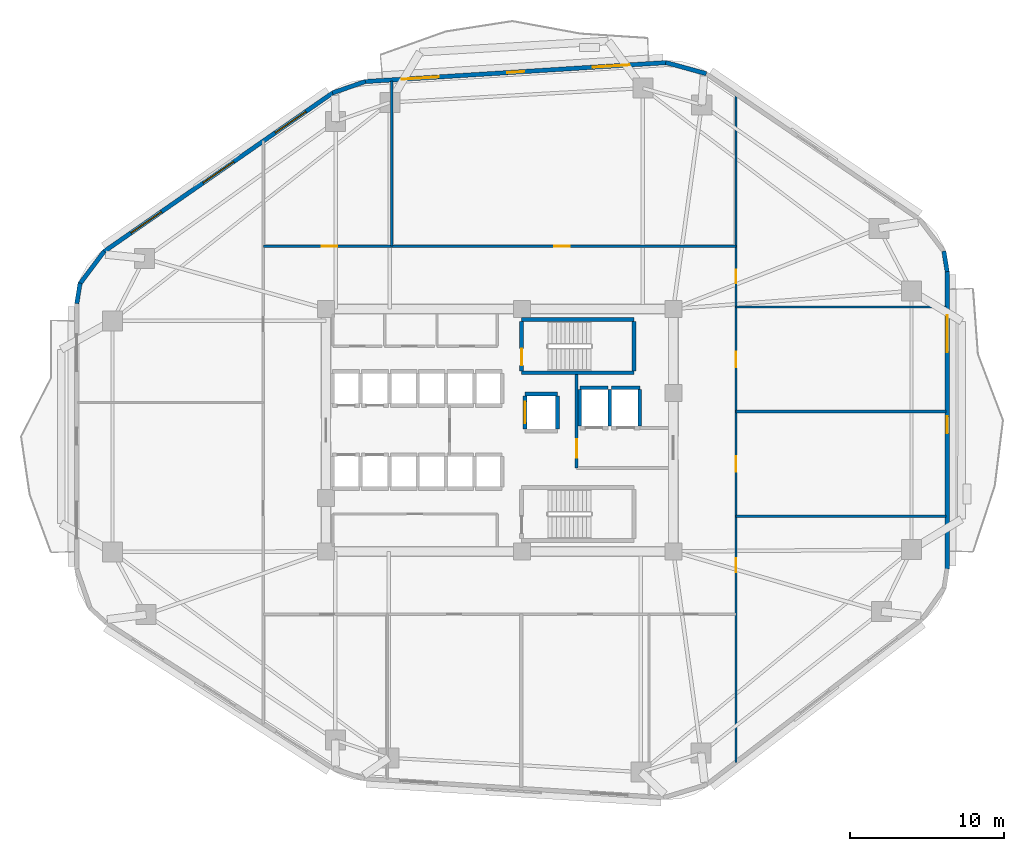
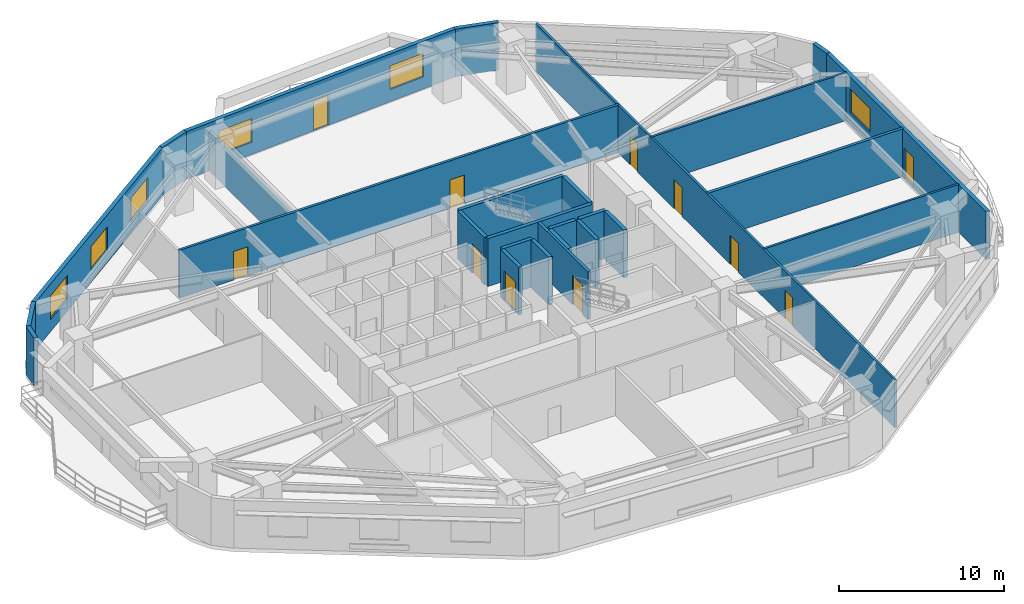
# One storey, part 5 of 9: 27 walls, 11 doors, 6 windows, 17 openings.
"""IFC4 building model written with IfcOpenShell, lengths in metres."""

from ifc_helpers import new_model, si_unit, direction, frame, frame_2d, origin, place, context, subcontext, project, spatial, rectangle, extrude, material, layer, layer_set, type_object, element, fill, save


model = new_model("IFC4")

# Units and contexts
model_context = context("Model", 3, precision=1e-05, world=origin(), true_north=direction((0.0, 1.0)))
body_context = subcontext(model_context, "Body", "Model", "MODEL_VIEW")
ifc_project = project(units=[si_unit("LENGTHUNIT", "METRE"), si_unit("AREAUNIT", "SQUARE_METRE"), si_unit("VOLUMEUNIT", "CUBIC_METRE"), si_unit("PLANEANGLEUNIT", "RADIAN"), si_unit("MASSUNIT", "GRAM", prefix="KILO")], contexts=[model_context])

# Site, building, storey
site_placement = place(None, origin())
site = spatial("IfcSite", under=ifc_project, at=site_placement, CompositionType="ELEMENT")
building_placement = place(site_placement, origin())
building = spatial("IfcBuilding", under=site, at=building_placement, Name="Zulverin Broadcast Headquarters", CompositionType="ELEMENT")
storey_placement = place(building_placement, frame((0.0, 0.0, 59.199951171875)))
storey = spatial("IfcBuildingStorey", under=building, at=storey_placement, Name="L14", CompositionType="ELEMENT", Elevation=59.199951171875)

# Wall
ifc_material_1 = material(Name="Acoustic drywall steel stud", Category="steel")
ifc_layer_1 = layer(ifc_material_1, 0.199951171875, Name="Acoustic drywall steel stud", Category="steel")
ifc_layer_set_1 = layer_set([ifc_layer_1], Name="Acoustic drywall steel stud")
wall_type_1 = type_object("IfcWallType", Name="WL-ACOU-200", PredefinedType="PARTITIONING", material=ifc_layer_set_1)
wall_1_placement = place(storey_placement, frame((52.35009765625, 26.39990234375, 0.0), z_axis=(0.0, 0.0, 1.0), x_axis=(1.0, 0.0, 0.0)))
element("IfcWall", 1, at=wall_1_placement, inside=storey, type_object=wall_type_1, Name="L14 Room Partition Wall RP-09", PredefinedType="PARTITIONING", context=body_context, shape_type="SweptSolid", body=[
    extrude(rectangle(XDim=13.64501953125, YDim=0.199951171875, at=frame_2d((6.822509765625, 0.0))), origin(), (0.0, 0.0, 1.0), 3.525146484375),
])

# Wall, openings, door, window
ifc_material_2 = material(Name="Insulated pale-metal clad concrete spandrel C40/50", Category="concrete")
ifc_layer_2 = layer(ifc_material_2, 0.280029296875, Name="Insulated pale-metal clad concrete spandrel C40/50", Category="concrete")
ifc_layer_set_2 = layer_set([ifc_layer_2], Name="Insulated pale-metal clad concrete spandrel C40/50")
wall_type_2 = type_object("IfcWallType", Name="WL-EXT-280", PredefinedType="STANDARD", material=ifc_layer_set_2)
wall_2_placement = place(storey_placement, frame((66.06005859375, 16.183349609375, 0.0), z_axis=(0.0, 0.0, 1.0), x_axis=(0.0, 1.0, 0.0)))
wall_2 = element("IfcWall", 2, at=wall_2_placement, inside=storey, type_object=wall_type_2, Name="L14 Pale-Metal Clad Spandrel Wall 3", PredefinedType="STANDARD", context=body_context, shape_type="SweptSolid", body=[
    extrude(rectangle(XDim=19.3310546875, YDim=0.280029296875, at=frame_2d((9.66552734375, 0.0))), origin(), (0.0, 0.0, 1.0), 3.525146484375),
])
opening_1_placement = place(wall_2_placement, frame((8.8154296875, 0.0, 0.0)))
opening_1 = element("IfcOpeningElement", 3, at=opening_1_placement, cuts=wall_2, Name="Opening D-L14-TR3", PredefinedType="OPENING", context=body_context, shape_type="SweptSolid", body=[
    extrude(rectangle(XDim=1.10009765625, YDim=2.199951171875, at=frame_2d((0.550048828125, 1.10009765625))), frame((0.0, 0.14990234375, 0.0), z_axis=(0.0, -1.0, 0.0), x_axis=(1.0, 0.0, 0.0)), (0.0, 0.0, 1.0), 0.300048828125),
])
opening_2_placement = place(wall_2_placement, frame((14.075927734375, 0.0, 0.89990234375)))
opening_2 = element("IfcOpeningElement", 4, at=opening_2_placement, cuts=wall_2, Name="Opening W-L14-E31", PredefinedType="OPENING", context=body_context, shape_type="SweptSolid", body=[
    extrude(rectangle(XDim=2.39990234375, YDim=1.75, at=frame_2d((1.199951171875, 0.875))), frame((0.0, 0.14990234375, 0.0), z_axis=(0.0, -1.0, 0.0), x_axis=(1.0, 0.0, 0.0)), (0.0, 0.0, 1.0), 0.300048828125),
])
ifc_material_3 = material(Name="Thermally broken aluminium glazed", Category="aluminium")
door_type_1 = type_object("IfcDoorType", Name="DR-TERR-1100", OperationType="SINGLE_SWING_RIGHT", PredefinedType="DOOR", material=ifc_material_3)
door_1_placement = place(opening_1_placement, origin())
door_1 = element("IfcDoor", 5, at=door_1_placement, inside=storey, type_object=door_type_1, Name="L14 Planted Terrace Glazed Access Door 3", OperationType="SINGLE_SWING_RIGHT", OverallHeight=2.199951171875, OverallWidth=1.10009765625, PredefinedType="DOOR", context=body_context, shape_type="SweptSolid", body=[
    extrude(rectangle(XDim=1.10009765625, YDim=2.199951171875, at=frame_2d((0.550048828125, 1.10009765625))), frame((0.0, 0.02490234375, 0.0), z_axis=(0.0, -1.0, 0.0), x_axis=(1.0, 0.0, 0.0)), (0.0, 0.0, 1.0), 0.050048828125),
])
fill(opening_1, door_1)
ifc_material_4 = material(Name="Pale anodized aluminium frame with solar-control low-E double glazing", Category="aluminium")
window_type = type_object("IfcWindowType", Name="WIN-RIB-2400", PartitioningType="SINGLE_PANEL", PredefinedType="WINDOW", material=ifc_material_4)
window_1_placement = place(opening_2_placement, origin())
window_1 = element("IfcWindow", 6, at=window_1_placement, inside=storey, type_object=window_type, Name="L14 Ribbon Glazing Window 3 1", OverallHeight=1.75, OverallWidth=2.39990234375, PartitioningType="SINGLE_PANEL", PredefinedType="WINDOW", context=body_context, shape_type="SweptSolid", body=[
    extrude(rectangle(XDim=2.39990234375, YDim=1.75, at=frame_2d((1.199951171875, 0.875))), frame((0.0, 0.030029296875, 0.0), z_axis=(0.0, -1.0, 0.0), x_axis=(1.0, 0.0, 0.0)), (0.0, 0.0, 1.0), 0.06005859375),
])
fill(opening_2, window_1)

# Wall, openings, door, windows
wall_3_placement = place(storey_placement, frame((47.831787109375, 49.0693359375, 0.0), z_axis=(0.0, 0.0, 1.0), x_axis=(-0.998017725054, -0.062933460723, 0.0)))
wall_3 = element("IfcWall", 7, at=wall_3_placement, inside=storey, type_object=wall_type_2, Name="L14 Pale-Metal Clad Spandrel Wall 5", PredefinedType="STANDARD", context=body_context, shape_type="SweptSolid", body=[
    extrude(rectangle(XDim=19.62939453125, YDim=0.280029296875, at=frame_2d((9.814697265625, 0.0))), origin(), (0.0, 0.0, 1.0), 3.525146484375),
])
opening_3_placement = place(wall_3_placement, frame((9.264892578125, 0.0, 0.0)))
opening_3 = element("IfcOpeningElement", 8, at=opening_3_placement, cuts=wall_3, Name="Opening D-L14-TR5", PredefinedType="OPENING", context=body_context, shape_type="SweptSolid", body=[
    extrude(rectangle(XDim=1.10009765625, YDim=2.199951171875, at=frame_2d((0.550048828125, 1.10009765625))), frame((0.0, 0.14990234375, 0.0), z_axis=(0.0, -1.0, 0.0), x_axis=(1.0, 0.0, 0.0)), (0.0, 0.0, 1.0), 0.300048828125),
])
opening_4_placement = place(wall_3_placement, frame((2.40478515625, 0.0, 0.89990234375)))
opening_4 = element("IfcOpeningElement", 9, at=opening_4_placement, cuts=wall_3, Name="Opening W-L14-E51", PredefinedType="OPENING", context=body_context, shape_type="SweptSolid", body=[
    extrude(rectangle(XDim=2.39990234375, YDim=1.75, at=frame_2d((1.199951171875, 0.875))), frame((0.0, 0.14990234375, 0.0), z_axis=(0.0, -1.0, 0.0), x_axis=(1.0, 0.0, 0.0)), (0.0, 0.0, 1.0), 0.300048828125),
])
opening_5_placement = place(wall_3_placement, frame((14.82470703125, 0.0, 0.89990234375)))
opening_5 = element("IfcOpeningElement", 10, at=opening_5_placement, cuts=wall_3, Name="Opening W-L14-E52", PredefinedType="OPENING", context=body_context, shape_type="SweptSolid", body=[
    extrude(rectangle(XDim=2.39990234375, YDim=1.75, at=frame_2d((1.199951171875, 0.875))), frame((0.0, 0.14990234375, 0.0), z_axis=(0.0, -1.0, 0.0), x_axis=(1.0, 0.0, 0.0)), (0.0, 0.0, 1.0), 0.300048828125),
])
door_2_placement = place(opening_3_placement, origin())
door_2 = element("IfcDoor", 11, at=door_2_placement, inside=storey, type_object=door_type_1, Name="L14 Planted Terrace Glazed Access Door 5", OperationType="SINGLE_SWING_RIGHT", OverallHeight=2.199951171875, OverallWidth=1.10009765625, PredefinedType="DOOR", context=body_context, shape_type="SweptSolid", body=[
    extrude(rectangle(XDim=1.10009765625, YDim=2.199951171875, at=frame_2d((0.550048828125, 1.10009765625))), frame((0.0, 0.02490234375, 0.0), z_axis=(0.0, -1.0, 0.0), x_axis=(1.0, 0.0, 0.0)), (0.0, 0.0, 1.0), 0.050048828125),
])
fill(opening_3, door_2)
window_2_placement = place(opening_4_placement, origin())
window_2 = element("IfcWindow", 12, at=window_2_placement, inside=storey, type_object=window_type, Name="L14 Ribbon Glazing Window 5 1", OverallHeight=1.75, OverallWidth=2.39990234375, PartitioningType="SINGLE_PANEL", PredefinedType="WINDOW", context=body_context, shape_type="SweptSolid", body=[
    extrude(rectangle(XDim=2.39990234375, YDim=1.75, at=frame_2d((1.199951171875, 0.875))), frame((0.0, 0.030029296875, 0.0), z_axis=(0.0, -1.0, 0.0), x_axis=(1.0, 0.0, 0.0)), (0.0, 0.0, 1.0), 0.06005859375),
])
fill(opening_4, window_2)
window_3_placement = place(opening_5_placement, origin())
window_3 = element("IfcWindow", 13, at=window_3_placement, inside=storey, type_object=window_type, Name="L14 Ribbon Glazing Window 5 2", OverallHeight=1.75, OverallWidth=2.39990234375, PartitioningType="SINGLE_PANEL", PredefinedType="WINDOW", context=body_context, shape_type="SweptSolid", body=[
    extrude(rectangle(XDim=2.39990234375, YDim=1.75, at=frame_2d((1.199951171875, 0.875))), frame((0.0, 0.030029296875, 0.0), z_axis=(0.0, -1.0, 0.0), x_axis=(1.0, 0.0, 0.0)), (0.0, 0.0, 1.0), 0.06005859375),
])
fill(opening_5, window_3)

# Wall, openings, windows
wall_4_placement = place(storey_placement, frame((26.181884765625, 47.11767578125, 0.0), z_axis=(0.0, 0.0, 1.0), x_axis=(-0.821547956627, -0.570139417127, 0.0)))
wall_4 = element("IfcWall", 14, at=wall_4_placement, inside=storey, type_object=wall_type_2, Name="L14 Pale-Metal Clad Spandrel Wall 6", PredefinedType="STANDARD", context=body_context, shape_type="SweptSolid", body=[
    extrude(rectangle(XDim=18.13232421875, YDim=0.280029296875, at=frame_2d((9.066162109375, 0.0))), origin(), (0.0, 0.0, 1.0), 3.525146484375),
])
opening_6_placement = place(wall_4_placement, frame((2.155517578125, 0.0, 0.89990234375)))
opening_6 = element("IfcOpeningElement", 15, at=opening_6_placement, cuts=wall_4, Name="Opening W-L14-E61", PredefinedType="OPENING", context=body_context, shape_type="SweptSolid", body=[
    extrude(rectangle(XDim=2.39990234375, YDim=1.75, at=frame_2d((1.199951171875, 0.875))), frame((0.0, 0.14990234375, 0.0), z_axis=(0.0, -1.0, 0.0), x_axis=(1.0, 0.0, 0.0)), (0.0, 0.0, 1.0), 0.300048828125),
])
opening_7_placement = place(wall_4_placement, frame((7.8662109375, 0.0, 0.89990234375)))
opening_7 = element("IfcOpeningElement", 16, at=opening_7_placement, cuts=wall_4, Name="Opening W-L14-E62", PredefinedType="OPENING", context=body_context, shape_type="SweptSolid", body=[
    extrude(rectangle(XDim=2.39990234375, YDim=1.75, at=frame_2d((1.199951171875, 0.875))), frame((0.0, 0.14990234375, 0.0), z_axis=(0.0, -1.0, 0.0), x_axis=(1.0, 0.0, 0.0)), (0.0, 0.0, 1.0), 0.300048828125),
])
opening_8_placement = place(wall_4_placement, frame((13.576904296875, 0.0, 0.89990234375)))
opening_8 = element("IfcOpeningElement", 17, at=opening_8_placement, cuts=wall_4, Name="Opening W-L14-E63", PredefinedType="OPENING", context=body_context, shape_type="SweptSolid", body=[
    extrude(rectangle(XDim=2.39990234375, YDim=1.75, at=frame_2d((1.199951171875, 0.875))), frame((0.0, 0.14990234375, 0.0), z_axis=(0.0, -1.0, 0.0), x_axis=(1.0, 0.0, 0.0)), (0.0, 0.0, 1.0), 0.300048828125),
])
window_4_placement = place(opening_6_placement, origin())
window_4 = element("IfcWindow", 18, at=window_4_placement, inside=storey, type_object=window_type, Name="L14 Ribbon Glazing Window 6 1", OverallHeight=1.75, OverallWidth=2.39990234375, PartitioningType="SINGLE_PANEL", PredefinedType="WINDOW", context=body_context, shape_type="SweptSolid", body=[
    extrude(rectangle(XDim=2.39990234375, YDim=1.75, at=frame_2d((1.199951171875, 0.875))), frame((0.0, 0.030029296875, 0.0), z_axis=(0.0, -1.0, 0.0), x_axis=(1.0, 0.0, 0.0)), (0.0, 0.0, 1.0), 0.06005859375),
])
fill(opening_6, window_4)
window_5_placement = place(opening_7_placement, origin())
window_5 = element("IfcWindow", 19, at=window_5_placement, inside=storey, type_object=window_type, Name="L14 Ribbon Glazing Window 6 2", OverallHeight=1.75, OverallWidth=2.39990234375, PartitioningType="SINGLE_PANEL", PredefinedType="WINDOW", context=body_context, shape_type="SweptSolid", body=[
    extrude(rectangle(XDim=2.39990234375, YDim=1.75, at=frame_2d((1.199951171875, 0.875))), frame((0.0, 0.030029296875, 0.0), z_axis=(0.0, -1.0, 0.0), x_axis=(1.0, 0.0, 0.0)), (0.0, 0.0, 1.0), 0.06005859375),
])
fill(opening_7, window_5)
window_6_placement = place(opening_8_placement, origin())
window_6 = element("IfcWindow", 20, at=window_6_placement, inside=storey, type_object=window_type, Name="L14 Ribbon Glazing Window 6 3", OverallHeight=1.75, OverallWidth=2.39990234375, PartitioningType="SINGLE_PANEL", PredefinedType="WINDOW", context=body_context, shape_type="SweptSolid", body=[
    extrude(rectangle(XDim=2.39990234375, YDim=1.75, at=frame_2d((1.199951171875, 0.875))), frame((0.0, 0.030029296875, 0.0), z_axis=(0.0, -1.0, 0.0), x_axis=(1.0, 0.0, 0.0)), (0.0, 0.0, 1.0), 0.06005859375),
])
fill(opening_8, window_6)

# Walls
wall_5_placement = place(storey_placement, frame((66.061767578125, 35.491943359375, 0.0), z_axis=(0.0, 0.0, 1.0), x_axis=(-0.161182073582, 0.986924687682, 0.0)))
element("IfcWall", 21, at=wall_5_placement, inside=storey, type_object=wall_type_2, Name="L14 Wind-Shaped Corner Spandrel Wall 3-1", PredefinedType="STANDARD", context=body_context, shape_type="SweptSolid", body=[
    extrude(rectangle(XDim=1.354248046875, YDim=0.280029296875, at=frame_2d((0.67724609375, 0.0))), origin(), (0.0, 0.0, 1.0), 3.525146484375),
])
wall_6_placement = place(storey_placement, frame((50.419189453125, 48.3505859375, 0.0), z_axis=(0.0, 0.0, 1.0), x_axis=(-0.964254516967, 0.264977784933, 0.0)))
element("IfcWall", 22, at=wall_6_placement, inside=storey, type_object=wall_type_2, Name="L14 Wind-Shaped Corner Spandrel Wall 4-1", PredefinedType="STANDARD", context=body_context, shape_type="SweptSolid", body=[
    extrude(rectangle(XDim=2.73095703125, YDim=0.280029296875, at=frame_2d((1.365478515625, 0.0))), origin(), (0.0, 0.0, 1.0), 3.525146484375),
])
wall_7_placement = place(storey_placement, frame((28.2783203125, 47.841552734375, 0.0), z_axis=(0.0, 0.0, 1.0), x_axis=(-0.9444559001, -0.328638179106, 0.0)))
element("IfcWall", 23, at=wall_7_placement, inside=storey, type_object=wall_type_2, Name="L14 Wind-Shaped Corner Spandrel Wall 5-1", PredefinedType="STANDARD", context=body_context, shape_type="SweptSolid", body=[
    extrude(rectangle(XDim=2.25537109375, YDim=0.280029296875, at=frame_2d((1.127685546875, 0.0))), origin(), (0.0, 0.0, 1.0), 3.525146484375),
])
wall_8_placement = place(storey_placement, frame((11.317626953125, 36.81103515625, 0.0), z_axis=(0.0, 0.0, 1.0), x_axis=(-0.599455152629, -0.800408345775, 0.0)))
element("IfcWall", 24, at=wall_8_placement, inside=storey, type_object=wall_type_2, Name="L14 Wind-Shaped Corner Spandrel Wall 6-1", PredefinedType="STANDARD", context=body_context, shape_type="SweptSolid", body=[
    extrude(rectangle(XDim=2.6533203125, YDim=0.280029296875, at=frame_2d((1.32666015625, 0.0))), origin(), (0.0, 0.0, 1.0), 3.525146484375),
])
wall_9_placement = place(storey_placement, frame((9.753173828125, 34.748779296875, 0.0), z_axis=(0.0, 0.0, 1.0), x_axis=(-0.160037671962, -0.987110907423, 0.0)))
element("IfcWall", 25, at=wall_9_placement, inside=storey, type_object=wall_type_2, Name="L14 Wind-Shaped Corner Spandrel Wall 6-2", PredefinedType="STANDARD", context=body_context, shape_type="SweptSolid", body=[
    extrude(rectangle(XDim=1.343994140625, YDim=0.280029296875, at=frame_2d((0.671875, 0.0))), origin(), (0.0, 0.0, 1.0), 3.525146484375),
])

# Wall, opening, door
ifc_material_5 = material(Name="Concrete C40/50", Category="concrete")
ifc_layer_3 = layer(ifc_material_5, 0.199951171875, Name="Concrete C40/50", Category="concrete")
ifc_layer_set_3 = layer_set([ifc_layer_3], Name="Concrete C40/50")
wall_type_3 = type_object("IfcWallType", Name="WL-FFL-200", PredefinedType="SOLIDWALL", material=ifc_layer_set_3)
wall_10_placement = place(storey_placement, frame((42.0, 22.75, 0.0), z_axis=(0.0, 0.0, 1.0), x_axis=(0.0, 1.0, 0.0)))
wall_10 = element("IfcWall", 26, at=wall_10_placement, inside=storey, type_object=wall_type_3, Name="L14 Firefighting Lift Lobby West Wall", PredefinedType="SOLIDWALL", context=body_context, shape_type="SweptSolid", body=[
    extrude(rectangle(XDim=6.050048828125, YDim=0.199951171875, at=frame_2d((3.02490234375, 0.0))), origin(), (0.0, 0.0, 1.0), 3.525146484375),
])
opening_9_placement = place(wall_10_placement, frame((0.64990234375, 0.0, 0.0)))
opening_9 = element("IfcOpeningElement", 27, at=opening_9_placement, cuts=wall_10, Name="Opening D-L14-FFLW", PredefinedType="OPENING", context=body_context, shape_type="SweptSolid", body=[
    extrude(rectangle(XDim=1.199951171875, YDim=2.14990234375, at=frame_2d((0.60009765625, 1.074951171875))), frame((0.0, 0.10986328125, 0.0), z_axis=(0.0, -1.0, 0.0), x_axis=(1.0, 0.0, 0.0)), (0.0, 0.0, 1.0), 0.219970703125),
])
ifc_material_6 = material(Name="Fire-rated steel leaf and frame", Category="steel")
door_type_2 = type_object("IfcDoorType", Name="DR-FFL-1200", OperationType="SINGLE_SWING_RIGHT", PredefinedType="DOOR", material=ifc_material_6)
door_3_placement = place(opening_9_placement, origin())
door_3 = element("IfcDoor", 28, at=door_3_placement, inside=storey, type_object=door_type_2, Name="L14 Firefighting Lift Lobby Door", OperationType="SINGLE_SWING_RIGHT", OverallHeight=2.14990234375, OverallWidth=1.199951171875, PredefinedType="DOOR", context=body_context, shape_type="SweptSolid", body=[
    extrude(rectangle(XDim=1.199951171875, YDim=2.14990234375, at=frame_2d((0.60009765625, 1.074951171875))), frame((0.0, 0.02490234375, 0.0), z_axis=(0.0, -1.0, 0.0), x_axis=(1.0, 0.0, 0.0)), (0.0, 0.0, 1.0), 0.050048828125),
])
fill(opening_9, door_3)

# Wall, openings, doors
ifc_material_7 = material(Name="Fire-rated gypsum stud partition", Category="gypsum")
ifc_layer_4 = layer(ifc_material_7, 0.14990234375, Name="Fire-rated gypsum stud partition", Category="gypsum")
ifc_layer_set_4 = layer_set([ifc_layer_4], Name="Fire-rated gypsum stud partition")
wall_type_4 = type_object("IfcWallType", Name="WL-PART-150", PredefinedType="PARTITIONING", material=ifc_layer_set_4)
wall_11_placement = place(storey_placement, frame((52.35009765625, 3.611328125, 0.0), z_axis=(0.0, 0.0, 1.0), x_axis=(0.0, 1.0, 0.0)))
wall_11 = element("IfcWall", 29, at=wall_11_placement, inside=storey, type_object=wall_type_4, Name="L14 Gallery Partition Wall CG-01", PredefinedType="PARTITIONING", context=body_context, shape_type="SweptSolid", body=[
    extrude(rectangle(XDim=43.440673828125, YDim=0.14990234375, at=frame_2d((21.72021484375, 0.0))), origin(), (0.0, 0.0, 1.0), 3.525146484375),
])
opening_10_placement = place(wall_11_placement, frame((12.36376953125, 0.0, 0.0)))
opening_10 = element("IfcOpeningElement", 30, at=opening_10_placement, cuts=wall_11, Name="Opening D-L14-09", PredefinedType="OPENING", context=body_context, shape_type="SweptSolid", body=[
    extrude(rectangle(XDim=0.89990234375, YDim=2.10009765625, at=frame_2d((0.449951171875, 1.050048828125))), frame((0.0, 0.0849609375, 0.0), z_axis=(0.0, -1.0, 0.0), x_axis=(1.0, 0.0, 0.0)), (0.0, 0.0, 1.0), 0.169921875),
])
opening_11_placement = place(wall_11_placement, frame((18.888671875, 0.0, 0.0)))
opening_11 = element("IfcOpeningElement", 31, at=opening_11_placement, cuts=wall_11, Name="Opening D-L14-10", PredefinedType="OPENING", context=body_context, shape_type="SweptSolid", body=[
    extrude(rectangle(XDim=1.0, YDim=2.1201171875, at=frame_2d((0.5, 1.06005859375))), frame((0.0, 0.0849609375, 0.0), z_axis=(0.0, -1.0, 0.0), x_axis=(1.0, 0.0, 0.0)), (0.0, 0.0, 1.0), 0.169921875),
])
opening_12_placement = place(wall_11_placement, frame((25.688720703125, 0.0, 0.0)))
opening_12 = element("IfcOpeningElement", 32, at=opening_12_placement, cuts=wall_11, Name="Opening D-L14-11", PredefinedType="OPENING", context=body_context, shape_type="SweptSolid", body=[
    extrude(rectangle(XDim=1.0, YDim=2.1201171875, at=frame_2d((0.5, 1.06005859375))), frame((0.0, 0.0849609375, 0.0), z_axis=(0.0, -1.0, 0.0), x_axis=(1.0, 0.0, 0.0)), (0.0, 0.0, 1.0), 0.169921875),
])
opening_13_placement = place(wall_11_placement, frame((31.11376953125, 0.0, 0.0)))
opening_13 = element("IfcOpeningElement", 33, at=opening_13_placement, cuts=wall_11, Name="Opening D-L14-12", PredefinedType="OPENING", context=body_context, shape_type="SweptSolid", body=[
    extrude(rectangle(XDim=0.89990234375, YDim=2.10009765625, at=frame_2d((0.449951171875, 1.050048828125))), frame((0.0, 0.0849609375, 0.0), z_axis=(0.0, -1.0, 0.0), x_axis=(1.0, 0.0, 0.0)), (0.0, 0.0, 1.0), 0.169921875),
])
ifc_material_8 = material(Name="Hardwood veneer acoustic leaf", Category="wood")
door_type_3 = type_object("IfcDoorType", Name="DR-OFF-1000", OperationType="SINGLE_SWING_LEFT", PredefinedType="DOOR", material=ifc_material_8)
door_4_placement = place(opening_11_placement, origin())
door_4 = element("IfcDoor", 34, at=door_4_placement, inside=storey, type_object=door_type_3, Name="L14 Documentary Editing Workplace Door", OperationType="SINGLE_SWING_LEFT", OverallHeight=2.1201171875, OverallWidth=1.0, PredefinedType="DOOR", context=body_context, shape_type="SweptSolid", body=[
    extrude(rectangle(XDim=1.0, YDim=2.1201171875, at=frame_2d((0.5, 1.06005859375))), frame((0.0, 0.02490234375, 0.0), z_axis=(0.0, -1.0, 0.0), x_axis=(1.0, 0.0, 0.0)), (0.0, 0.0, 1.0), 0.050048828125),
])
fill(opening_11, door_4)
door_5_placement = place(opening_12_placement, origin())
door_5 = element("IfcDoor", 35, at=door_5_placement, inside=storey, type_object=door_type_3, Name="L14 Colour Correction Office Door", OperationType="SINGLE_SWING_RIGHT", OverallHeight=2.1201171875, OverallWidth=1.0, PredefinedType="DOOR", context=body_context, shape_type="SweptSolid", body=[
    extrude(rectangle(XDim=1.0, YDim=2.1201171875, at=frame_2d((0.5, 1.06005859375))), frame((0.0, 0.02490234375, 0.0), z_axis=(0.0, -1.0, 0.0), x_axis=(1.0, 0.0, 0.0)), (0.0, 0.0, 1.0), 0.050048828125),
])
fill(opening_12, door_5)
ifc_material_9 = material(Name="Fire-rated hardwood veneer timber leaf", Category="wood")
door_type_4 = type_object("IfcDoorType", Name="DR-ROOM-900", OperationType="SINGLE_SWING_RIGHT", PredefinedType="DOOR", material=ifc_material_9)
door_6_placement = place(opening_10_placement, origin())
door_6 = element("IfcDoor", 36, at=door_6_placement, inside=storey, type_object=door_type_4, Name="L14 Client Reception Door", OperationType="SINGLE_SWING_RIGHT", OverallHeight=2.10009765625, OverallWidth=0.89990234375, PredefinedType="DOOR", context=body_context, shape_type="SweptSolid", body=[
    extrude(rectangle(XDim=0.89990234375, YDim=2.10009765625, at=frame_2d((0.449951171875, 1.050048828125))), frame((0.0, 0.02490234375, 0.0), z_axis=(0.0, -1.0, 0.0), x_axis=(1.0, 0.0, 0.0)), (0.0, 0.0, 1.0), 0.050048828125),
])
fill(opening_10, door_6)
door_7_placement = place(opening_13_placement, origin())
door_7 = element("IfcDoor", 37, at=door_7_placement, inside=storey, type_object=door_type_4, Name="L14 Colour Review Suite Door", OperationType="SINGLE_SWING_LEFT", OverallHeight=2.10009765625, OverallWidth=0.89990234375, PredefinedType="DOOR", context=body_context, shape_type="SweptSolid", body=[
    extrude(rectangle(XDim=0.89990234375, YDim=2.10009765625, at=frame_2d((0.449951171875, 1.050048828125))), frame((0.0, 0.02490234375, 0.0), z_axis=(0.0, -1.0, 0.0), x_axis=(1.0, 0.0, 0.0)), (0.0, 0.0, 1.0), 0.050048828125),
])
fill(opening_13, door_7)

# Walls
wall_12_placement = place(storey_placement, frame((30.0, 37.14990234375, 0.0), z_axis=(0.0, 0.0, 1.0), x_axis=(0.0, 1.0, 0.0)))
element("IfcWall", 38, at=wall_12_placement, inside=storey, type_object=wall_type_4, Name="L14 Room Partition Wall RP-04", PredefinedType="PARTITIONING", context=body_context, shape_type="SweptSolid", body=[
    extrude(rectangle(XDim=10.730224609375, YDim=0.14990234375, at=frame_2d((5.365234375, 0.0))), origin(), (0.0, 0.0, 1.0), 2.907958984375),
])
for number, where, z_axis, x_axis, name in (
    (39, (52.35009765625, 19.60009765625, 0.0), (0.0, 0.0, 1.0), (1.0, 0.0, 0.0), "L14 Room Partition Wall RP-08"),
    (40, (52.35009765625, 33.199951171875, 0.0), (0.0, 0.0, 1.0), (1.0, 0.0, 0.0), "L14 Room Partition Wall RP-11"),
):
    element("IfcWall", number, at=place(storey_placement, frame(where, z_axis=z_axis, x_axis=x_axis)), inside=storey, type_object=wall_type_4, Name=name, PredefinedType="PARTITIONING", context=body_context, shape_type="SweptSolid", body=[
        extrude(rectangle(XDim=13.64501953125, YDim=0.14990234375, at=frame_2d((6.822509765625, 0.0))), origin(), (0.0, 0.0, 1.0), 3.525146484375),
    ])

# Wall, openings, doors
ifc_material_10 = material(Name="Fire-rated acoustic stud wall", Category="gypsum")
ifc_layer_5 = layer(ifc_material_10, 0.175048828125, Name="Fire-rated acoustic stud wall", Category="gypsum")
ifc_layer_set_5 = layer_set([ifc_layer_5], Name="Fire-rated acoustic stud wall")
wall_type_5 = type_object("IfcWallType", Name="WL-PART-175", PredefinedType="PARTITIONING", material=ifc_layer_set_5)
wall_13_placement = place(storey_placement, frame((21.64990234375, 37.14990234375, 0.0), z_axis=(0.0, 0.0, 1.0), x_axis=(1.0, 0.0, 0.0)))
wall_13 = element("IfcWall", 41, at=wall_13_placement, inside=storey, type_object=wall_type_5, Name="L14 Gallery Partition Wall CG-12", PredefinedType="PARTITIONING", context=body_context, shape_type="SweptSolid", body=[
    extrude(rectangle(XDim=30.7001953125, YDim=0.175048828125, at=frame_2d((15.35009765625, 0.0))), origin(), (0.0, 0.0, 1.0), 3.525146484375),
])
opening_14_placement = place(wall_13_placement, frame((3.794921875, 0.0, 0.0)))
opening_14 = element("IfcOpeningElement", 42, at=opening_14_placement, cuts=wall_13, Name="Opening D-L14-01", PredefinedType="OPENING", context=body_context, shape_type="SweptSolid", body=[
    extrude(rectangle(XDim=1.0, YDim=2.1201171875, at=frame_2d((0.5, 1.06005859375))), frame((0.0, 0.097412109375, 0.0), z_axis=(0.0, -1.0, 0.0), x_axis=(1.0, 0.0, 0.0)), (0.0, 0.0, 1.0), 0.195068359375),
])
opening_15_placement = place(wall_13_placement, frame((18.905029296875, 0.0, 0.0)))
opening_15 = element("IfcOpeningElement", 43, at=opening_15_placement, cuts=wall_13, Name="Opening D-L14-02", PredefinedType="OPENING", context=body_context, shape_type="SweptSolid", body=[
    extrude(rectangle(XDim=1.0, YDim=2.1201171875, at=frame_2d((0.5, 1.06005859375))), frame((0.0, 0.097412109375, 0.0), z_axis=(0.0, -1.0, 0.0), x_axis=(1.0, 0.0, 0.0)), (0.0, 0.0, 1.0), 0.195068359375),
])
door_8_placement = place(opening_14_placement, origin())
door_8 = element("IfcDoor", 44, at=door_8_placement, inside=storey, type_object=door_type_3, Name="L14 Documentary Editing Workplace Door", OperationType="SINGLE_SWING_RIGHT", OverallHeight=2.1201171875, OverallWidth=1.0, PredefinedType="DOOR", context=body_context, shape_type="SweptSolid", body=[
    extrude(rectangle(XDim=1.0, YDim=2.1201171875, at=frame_2d((0.5, 1.06005859375))), frame((0.0, 0.02490234375, 0.0), z_axis=(0.0, -1.0, 0.0), x_axis=(1.0, 0.0, 0.0)), (0.0, 0.0, 1.0), 0.050048828125),
])
fill(opening_14, door_8)
door_9_placement = place(opening_15_placement, origin())
door_9 = element("IfcDoor", 45, at=door_9_placement, inside=storey, type_object=door_type_3, Name="L14 Colour Correction Office Door", OperationType="SINGLE_SWING_LEFT", OverallHeight=2.1201171875, OverallWidth=1.0, PredefinedType="DOOR", context=body_context, shape_type="SweptSolid", body=[
    extrude(rectangle(XDim=1.0, YDim=2.1201171875, at=frame_2d((0.5, 1.06005859375))), frame((0.0, 0.02490234375, 0.0), z_axis=(0.0, -1.0, 0.0), x_axis=(1.0, 0.0, 0.0)), (0.0, 0.0, 1.0), 0.050048828125),
])
fill(opening_15, door_9)

# Walls
ifc_material_11 = material(Name="Concrete C50/60", Category="concrete")
ifc_layer_6 = layer(ifc_material_11, 0.25, Name="Concrete C50/60", Category="concrete")
ifc_layer_set_6 = layer_set([ifc_layer_6], Name="Concrete C50/60")
wall_type_6 = type_object("IfcWallType", Name="WL-SHAFT-250", PredefinedType="SHEAR", material=ifc_layer_set_6)
for number, where, z_axis, x_axis, name in (
    (46, (38.425048828125, 28.925048828125, 0.0), (0.0, 0.0, 1.0), (1.0, 0.0, 0.0), "L14 ST-1 Enclosure Wall S"),
    (47, (38.425048828125, 32.375, 0.0), (0.0, 0.0, 1.0), (1.0, 0.0, 0.0), "L14 ST-1 Enclosure Wall N"),
):
    element("IfcWall", number, at=place(storey_placement, frame(where, z_axis=z_axis, x_axis=x_axis)), inside=storey, type_object=wall_type_6, Name=name, PredefinedType="SHEAR", context=body_context, shape_type="SweptSolid", body=[
        extrude(rectangle(XDim=7.300048828125, YDim=0.25, at=frame_2d((3.64990234375, 0.0))), origin(), (0.0, 0.0, 1.0), 3.525146484375),
    ])

# Wall, opening, door
wall_14_placement = place(storey_placement, frame((38.425048828125, 29.050048828125, 0.0), z_axis=(0.0, 0.0, 1.0), x_axis=(0.0, 1.0, 0.0)))
wall_14 = element("IfcWall", 48, at=wall_14_placement, inside=storey, type_object=wall_type_6, Name="L14 ST-1 Enclosure Wall W", PredefinedType="SHEAR", context=body_context, shape_type="SweptSolid", body=[
    extrude(rectangle(XDim=3.199951171875, YDim=0.25, at=frame_2d((1.60009765625, 0.0))), origin(), (0.0, 0.0, 1.0), 3.525146484375),
])
opening_16_placement = place(wall_14_placement, frame((0.35009765625, 0.0, 0.0)))
opening_16 = element("IfcOpeningElement", 49, at=opening_16_placement, cuts=wall_14, Name="Opening D-L14-ST-1", PredefinedType="OPENING", context=body_context, shape_type="SweptSolid", body=[
    extrude(rectangle(XDim=1.10009765625, YDim=2.14990234375, at=frame_2d((0.550048828125, 1.074951171875))), frame((0.0, 0.135009765625, 0.0), z_axis=(0.0, -1.0, 0.0), x_axis=(1.0, 0.0, 0.0)), (0.0, 0.0, 1.0), 0.27001953125),
])
door_type_5 = type_object("IfcDoorType", Name="DR-STAIR-1100", OperationType="SINGLE_SWING_LEFT", PredefinedType="DOOR", material=ifc_material_6)
door_10_placement = place(opening_16_placement, origin())
door_10 = element("IfcDoor", 50, at=door_10_placement, inside=storey, type_object=door_type_5, Name="L14 Exit Stair ST-1 Fire Door", OperationType="SINGLE_SWING_LEFT", OverallHeight=2.14990234375, OverallWidth=1.10009765625, PredefinedType="DOOR", context=body_context, shape_type="SweptSolid", body=[
    extrude(rectangle(XDim=1.10009765625, YDim=2.14990234375, at=frame_2d((0.550048828125, 1.074951171875))), frame((0.0, 0.02490234375, 0.0), z_axis=(0.0, -1.0, 0.0), x_axis=(1.0, 0.0, 0.0)), (0.0, 0.0, 1.0), 0.050048828125),
])
fill(opening_16, door_10)

# Walls
wall_15_placement = place(storey_placement, frame((45.72509765625, 29.050048828125, 0.0), z_axis=(0.0, 0.0, 1.0), x_axis=(0.0, 1.0, 0.0)))
element("IfcWall", 51, at=wall_15_placement, inside=storey, type_object=wall_type_6, Name="L14 ST-1 Enclosure Wall E", PredefinedType="SHEAR", context=body_context, shape_type="SweptSolid", body=[
    extrude(rectangle(XDim=3.199951171875, YDim=0.25, at=frame_2d((1.60009765625, 0.0))), origin(), (0.0, 0.0, 1.0), 3.525146484375),
])
wall_16_placement = place(storey_placement, frame((42.199951171875, 27.949951171875, 0.0), z_axis=(0.0, 0.0, 1.0), x_axis=(1.0, 0.0, 0.0)))
element("IfcWall", 52, at=wall_16_placement, inside=storey, type_object=wall_type_6, Name="L14 Lift FFL-1 Shaft Wall N", PredefinedType="SHEAR", context=body_context, shape_type="SweptSolid", body=[
    extrude(rectangle(XDim=1.85009765625, YDim=0.25, at=frame_2d((0.925048828125, 0.0))), origin(), (0.0, 0.0, 1.0), 3.525146484375),
])
for number, where, z_axis, x_axis, name in (
    (53, (42.199951171875, 25.469970703125, 0.0), (0.0, 0.0, 1.0), (0.0, 1.0, 0.0), "L14 Lift FFL-1 Shaft Wall W"),
    (54, (44.14990234375, 25.469970703125, 0.0), (0.0, 0.0, 1.0), (0.0, 1.0, 0.0), "L14 Lift FFL-1 Shaft Wall E"),
):
    element("IfcWall", number, at=place(storey_placement, frame(where, z_axis=z_axis, x_axis=x_axis)), inside=storey, type_object=wall_type_6, Name=name, PredefinedType="SHEAR", context=body_context, shape_type="SweptSolid", body=[
        extrude(rectangle(XDim=2.360107421875, YDim=0.25, at=frame_2d((1.18017578125, 0.0))), origin(), (0.0, 0.0, 1.0), 3.525146484375),
    ])
wall_17_placement = place(storey_placement, frame((44.25, 27.949951171875, 0.0), z_axis=(0.0, 0.0, 1.0), x_axis=(1.0, 0.0, 0.0)))
element("IfcWall", 55, at=wall_17_placement, inside=storey, type_object=wall_type_6, Name="L14 Lift FFL-2 Shaft Wall N", PredefinedType="SHEAR", context=body_context, shape_type="SweptSolid", body=[
    extrude(rectangle(XDim=1.85009765625, YDim=0.25, at=frame_2d((0.925048828125, 0.0))), origin(), (0.0, 0.0, 1.0), 3.525146484375),
])
wall_18_placement = place(storey_placement, frame((46.10009765625, 25.469970703125, 0.0), z_axis=(0.0, 0.0, 1.0), x_axis=(0.0, 1.0, 0.0)))
element("IfcWall", 56, at=wall_18_placement, inside=storey, type_object=wall_type_6, Name="L14 Lift FFL-2 Shaft Wall E", PredefinedType="SHEAR", context=body_context, shape_type="SweptSolid", body=[
    extrude(rectangle(XDim=2.360107421875, YDim=0.25, at=frame_2d((1.18017578125, 0.0))), origin(), (0.0, 0.0, 1.0), 3.525146484375),
])
wall_19_placement = place(storey_placement, frame((38.64990234375, 27.550048828125, 0.0), z_axis=(0.0, 0.0, 1.0), x_axis=(1.0, 0.0, 0.0)))
element("IfcWall", 57, at=wall_19_placement, inside=storey, type_object=wall_type_6, Name="L14 Lift SVL-1 Shaft Wall N", PredefinedType="SHEAR", context=body_context, shape_type="SweptSolid", body=[
    extrude(rectangle(XDim=2.10009765625, YDim=0.25, at=frame_2d((1.050048828125, 0.0))), origin(), (0.0, 0.0, 1.0), 3.525146484375),
])

# Wall, opening, door
wall_20_placement = place(storey_placement, frame((38.64990234375, 25.27001953125, 0.0), z_axis=(0.0, 0.0, 1.0), x_axis=(0.0, 1.0, 0.0)))
wall_20 = element("IfcWall", 58, at=wall_20_placement, inside=storey, type_object=wall_type_6, Name="L14 Lift SVL-1 Shaft Wall W", PredefinedType="SHEAR", context=body_context, shape_type="SweptSolid", body=[
    extrude(rectangle(XDim=2.159912109375, YDim=0.25, at=frame_2d((1.080078125, 0.0))), origin(), (0.0, 0.0, 1.0), 3.525146484375),
])
opening_17_placement = place(wall_20_placement, frame((0.3798828125, 0.0, 0.0)))
opening_17 = element("IfcOpeningElement", 59, at=opening_17_placement, cuts=wall_20, Name="Opening LD-SVL-1-L14", PredefinedType="OPENING", context=body_context, shape_type="SweptSolid", body=[
    extrude(rectangle(XDim=1.39990234375, YDim=2.199951171875, at=frame_2d((0.699951171875, 1.10009765625))), frame((0.0, 0.135009765625, 0.0), z_axis=(0.0, -1.0, 0.0), x_axis=(1.0, 0.0, 0.0)), (0.0, 0.0, 1.0), 0.27001953125),
])
ifc_material_12 = material(Name="Heavy-duty stainless landing door", Category="steel")
door_type_6 = type_object("IfcDoorType", Name="LD-GOODS-1400", OperationType="DOUBLE_DOOR_SLIDING", PredefinedType="DOOR", material=ifc_material_12)
door_11_placement = place(opening_17_placement, origin())
door_11 = element("IfcDoor", 60, at=door_11_placement, inside=storey, type_object=door_type_6, Name="L14 Lift SVL-1 Sliding Landing Door", OperationType="DOUBLE_DOOR_SLIDING", OverallHeight=2.199951171875, OverallWidth=1.39990234375, PredefinedType="DOOR", context=body_context, shape_type="SweptSolid", body=[
    extrude(rectangle(XDim=1.39990234375, YDim=2.199951171875, at=frame_2d((0.699951171875, 1.10009765625))), frame((0.0, 0.02490234375, 0.0), z_axis=(0.0, -1.0, 0.0), x_axis=(1.0, 0.0, 0.0)), (0.0, 0.0, 1.0), 0.050048828125),
])
fill(opening_17, door_11)

# Wall
wall_21_placement = place(storey_placement, frame((40.75, 25.27001953125, 0.0), z_axis=(0.0, 0.0, 1.0), x_axis=(0.0, 1.0, 0.0)))
element("IfcWall", 61, at=wall_21_placement, inside=storey, type_object=wall_type_6, Name="L14 Lift SVL-1 Shaft Wall E", PredefinedType="SHEAR", context=body_context, shape_type="SweptSolid", body=[
    extrude(rectangle(XDim=2.159912109375, YDim=0.25, at=frame_2d((1.080078125, 0.0))), origin(), (0.0, 0.0, 1.0), 3.525146484375),
])

save(model, "model.ifc")
